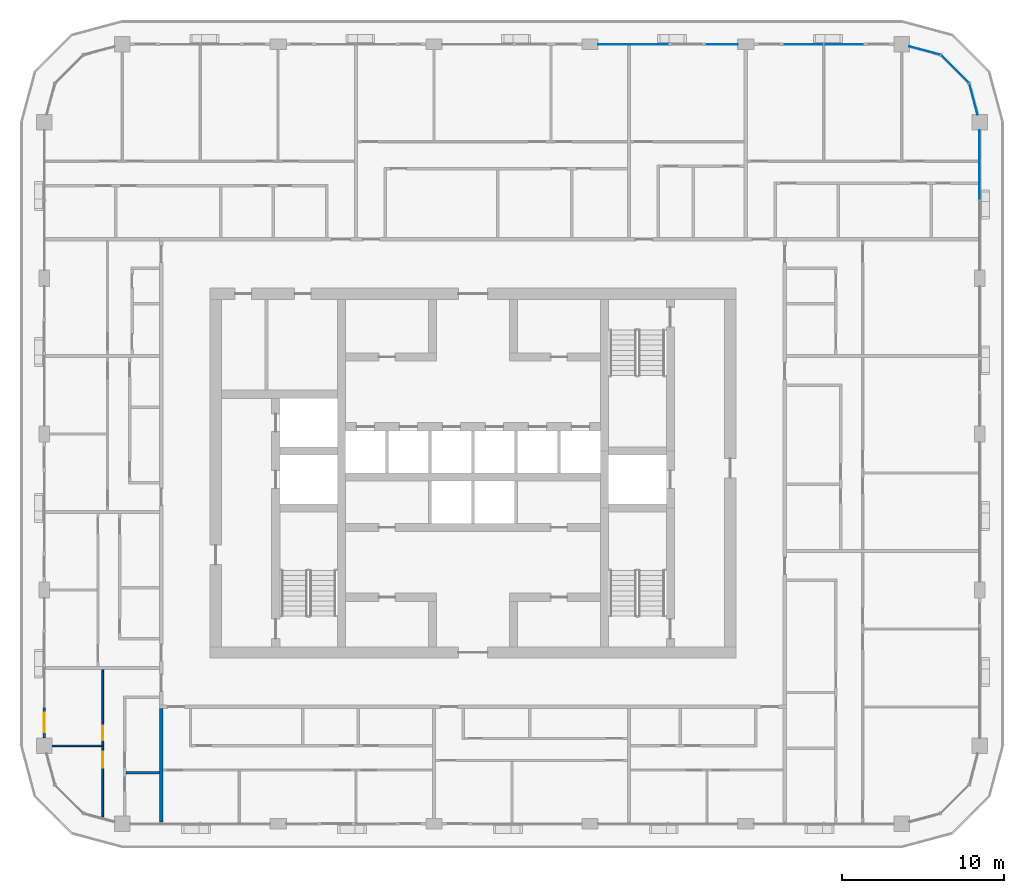
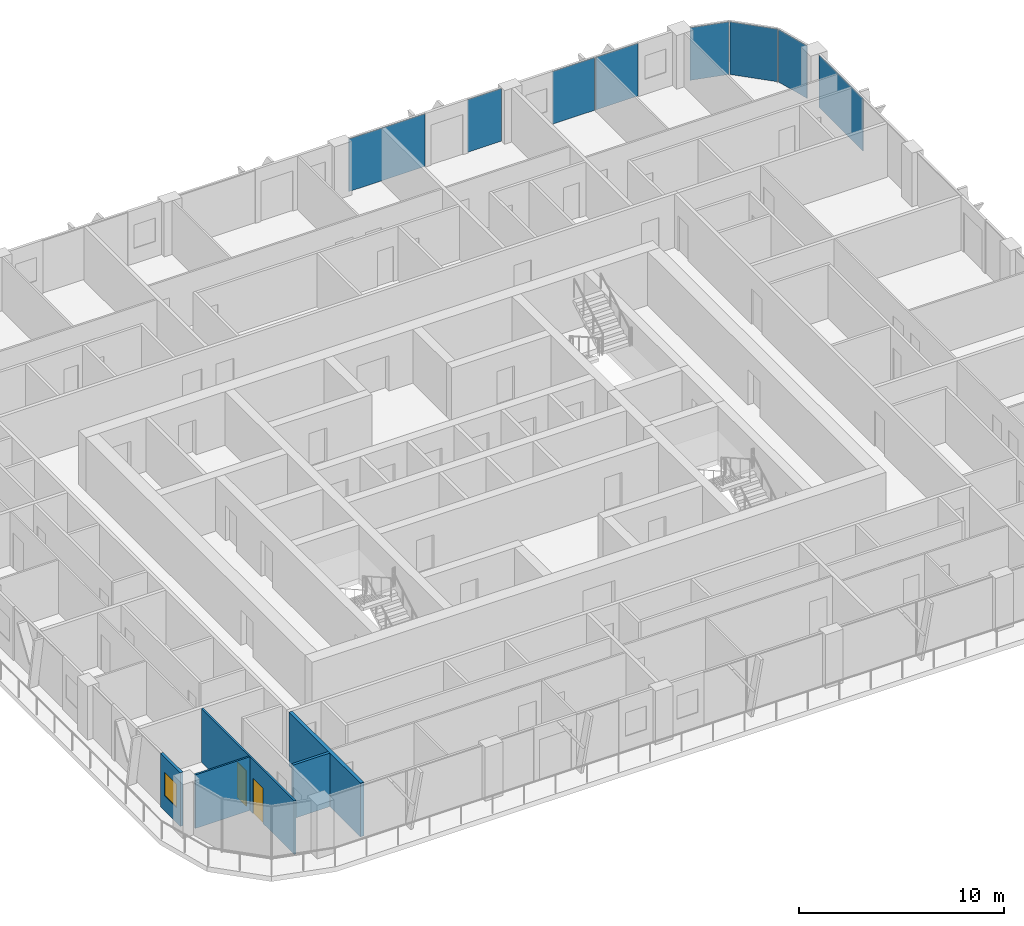
# One storey, part 8 of 22: 8 plates, 5 walls, 2 doors, 1 window, 3 openings, 4 elements without a shape of their own.
"""IFC4 building model written with IfcOpenShell, lengths in metres."""

from ifc_helpers import new_model, si_unit, direction, frame, frame_2d, origin, origin_2d, place, context, subcontext, project, spatial, rectangle, extrude, material, layer, layer_set, type_object, element, fill, aggregate, save


model = new_model("IFC4")

# Units and contexts
model_context = context("Model", 3, precision=1e-05, world=origin(), true_north=direction((0.0, 1.0)))
body_context = subcontext(model_context, "Body", "Model", "MODEL_VIEW")
ifc_project = project(units=[si_unit("LENGTHUNIT", "METRE"), si_unit("AREAUNIT", "SQUARE_METRE"), si_unit("VOLUMEUNIT", "CUBIC_METRE"), si_unit("PLANEANGLEUNIT", "RADIAN"), si_unit("MASSUNIT", "GRAM", prefix="KILO")], contexts=[model_context])

# Site, building, storey
site_placement = place(None, origin())
site = spatial("IfcSite", under=ifc_project, at=site_placement, CompositionType="ELEMENT")
building_placement = place(site_placement, origin())
building = spatial("IfcBuilding", under=site, at=building_placement, Name="Madar Terraces", CompositionType="ELEMENT")
storey_placement = place(building_placement, frame((0.0, 0.0, 208.800048828125)))
storey = spatial("IfcBuildingStorey", under=building, at=storey_placement, Name="L54", CompositionType="ELEMENT", Elevation=208.800048828125)

# Curtain wall, plate
ifc_material_1 = material(Name="Glass, ceramic frit dark grey, with black aluminium frame", Category="aluminium")
ifc_layer_1 = layer(ifc_material_1, 0.199951171875)
ifc_layer_set_1 = layer_set([ifc_layer_1], Name="Facade curtain wall, fritted glass")
curtain_wall_type = type_object("IfcCurtainWallType", Name="Facade curtain wall, fritted glass", PredefinedType="NOTDEFINED", material=ifc_layer_set_1)
curtain_wall_1_placement = place(storey_placement, origin())
curtain_wall_1 = element("IfcCurtainWall", 1, at=curtain_wall_1_placement, inside=storey, type_object=curtain_wall_type, Name="Outer skin curtain wall east bay 4", PredefinedType="NOTDEFINED")
ifc_material_2 = material(Name="Glass, ceramic frit dark grey", Category="glass")
ifc_layer_2 = layer(ifc_material_2, 0.028076171875)
ifc_layer_set_2 = layer_set([ifc_layer_2], Name="Facade glass panel 28")
plate_type = type_object("IfcPlateType", Name="Facade glass panel 28", PredefinedType="CURTAIN_PANEL", material=ifc_layer_set_2)
plate_1_placement = place(storey_placement, frame((62.39990234375, 45.37744140625, 0.0), z_axis=(0.0, 0.0, 1.0), x_axis=(0.0, 1.0, 0.0)))
plate_1 = element("IfcPlate", 2, at=plate_1_placement, type_object=plate_type, Name="Panel 2", PredefinedType="CURTAIN_PANEL", context=body_context, shape_type="SweptSolid", body=[
    extrude(rectangle(XDim=4.294921875, YDim=0.028076171875, at=origin_2d()), origin(), (0.0, 0.0, 1.0), 3.139892578125),
])
aggregate(curtain_wall_1, [plate_1])

# Curtain wall, plates
curtain_wall_2_placement = place(storey_placement, origin())
curtain_wall_2 = element("IfcCurtainWall", 3, at=curtain_wall_2_placement, inside=storey, type_object=curtain_wall_type, Name="Outer skin curtain wall north bay 1", PredefinedType="NOTDEFINED")
plate_2_placement = place(storey_placement, frame((54.014892578125, 52.800048828125, 0.0), z_axis=(0.0, 0.0, 1.0), x_axis=(-1.0, 0.0, 0.0)))
plate_2 = element("IfcPlate", 4, at=plate_2_placement, type_object=plate_type, Name="Panel 1", PredefinedType="CURTAIN_PANEL", context=body_context, shape_type="SweptSolid", body=[
    extrude(rectangle(XDim=2.3701171875, YDim=0.028076171875, at=origin_2d()), origin(), (0.0, 0.0, 1.0), 3.139892578125),
])
plate_3_placement = place(storey_placement, frame((51.5849609375, 52.800048828125, 0.0), z_axis=(0.0, 0.0, 1.0), x_axis=(-1.0, 0.0, 0.0)))
plate_3 = element("IfcPlate", 5, at=plate_3_placement, type_object=plate_type, Name="Panel 2", PredefinedType="CURTAIN_PANEL", context=body_context, shape_type="SweptSolid", body=[
    extrude(rectangle(XDim=2.3701171875, YDim=0.028076171875, at=origin_2d()), origin(), (0.0, 0.0, 1.0), 3.139892578125),
])
aggregate(curtain_wall_2, [plate_2, plate_3])

curtain_wall_3_placement = place(storey_placement, origin())
curtain_wall_3 = element("IfcCurtainWall", 6, at=curtain_wall_3_placement, inside=storey, type_object=curtain_wall_type, Name="Outer skin curtain wall north bay 2", PredefinedType="NOTDEFINED")
plate_4_placement = place(storey_placement, frame((46.550048828125, 52.800048828125, 0.0), z_axis=(0.0, 0.0, 1.0), x_axis=(-1.0, 0.0, 0.0)))
plate_4 = element("IfcPlate", 7, at=plate_4_placement, type_object=plate_type, Name="Panel 1", PredefinedType="CURTAIN_PANEL", context=body_context, shape_type="SweptSolid", body=[
    extrude(rectangle(XDim=1.89990234375, YDim=0.028076171875, at=origin_2d()), origin(), (0.0, 0.0, 1.0), 3.139892578125),
])
plate_5_placement = place(storey_placement, frame((41.050048828125, 52.800048828125, 0.0), z_axis=(0.0, 0.0, 1.0), x_axis=(-1.0, 0.0, 0.0)))
plate_5 = element("IfcPlate", 8, at=plate_5_placement, type_object=plate_type, Name="Panel 2", PredefinedType="CURTAIN_PANEL", context=body_context, shape_type="SweptSolid", body=[
    extrude(rectangle(XDim=4.300048828125, YDim=0.028076171875, at=origin_2d()), origin(), (0.0, 0.0, 1.0), 3.139892578125),
])
aggregate(curtain_wall_3, [plate_4, plate_5])

curtain_wall_4_placement = place(storey_placement, origin())
curtain_wall_4 = element("IfcCurtainWall", 9, at=curtain_wall_4_placement, inside=storey, type_object=curtain_wall_type, Name="Outer skin curtain wall north-east corner", PredefinedType="NOTDEFINED")
plate_6_placement = place(storey_placement, frame((62.018798828125, 49.423095703125, 0.0), z_axis=(0.0, 0.0, 1.0), x_axis=(-0.258819021888, 0.965925832509, 0.0)))
plate_6 = element("IfcPlate", 10, at=plate_6_placement, type_object=plate_type, Name="Panel 1", PredefinedType="CURTAIN_PANEL", context=body_context, shape_type="SweptSolid", body=[
    extrude(rectangle(XDim=1.962890625, YDim=0.028076171875, at=origin_2d()), origin(), (0.0, 0.0, 1.0), 3.139892578125),
])
plate_7_placement = place(storey_placement, frame((60.87841796875, 51.278564453125, 0.0), z_axis=(0.0, 0.0, 1.0), x_axis=(-0.707106781187, 0.707106781187, 0.0)))
plate_7 = element("IfcPlate", 11, at=plate_7_placement, type_object=plate_type, Name="Panel 2", PredefinedType="CURTAIN_PANEL", context=body_context, shape_type="SweptSolid", body=[
    extrude(rectangle(XDim=2.424560546875, YDim=0.028076171875, at=origin_2d()), origin(), (0.0, 0.0, 1.0), 3.139892578125),
])
plate_8_placement = place(storey_placement, frame((59.02294921875, 52.418701171875, 0.0), z_axis=(0.0, 0.0, 1.0), x_axis=(-0.965925832509, 0.258819021888, 0.0)))
plate_8 = element("IfcPlate", 12, at=plate_8_placement, type_object=plate_type, Name="Panel 3", PredefinedType="CURTAIN_PANEL", context=body_context, shape_type="SweptSolid", body=[
    extrude(rectangle(XDim=1.962890625, YDim=0.028076171875, at=origin_2d()), origin(), (0.0, 0.0, 1.0), 3.139892578125),
])
aggregate(curtain_wall_4, [plate_6, plate_7, plate_8])

# Wall, opening, window
ifc_material_3 = material(Name="Aluminium composite panel, black, over insulated backing", Category="aluminium")
ifc_layer_3 = layer(ifc_material_3, 0.14990234375)
ifc_layer_set_3 = layer_set([ifc_layer_3], Name="Facade bay panel 150")
wall_type_1 = type_object("IfcWallType", Name="Facade bay panel 150", PredefinedType="SOLIDWALL", material=ifc_layer_set_3)
wall_1_placement = place(storey_placement, frame((4.800048828125, 12.0, 0.0), z_axis=(0.0, 0.0, 1.0), x_axis=(0.0, -1.0, 0.0)))
wall_1 = element("IfcWall", 13, at=wall_1_placement, inside=storey, type_object=wall_type_1, Name="Facade bay panel", PredefinedType="SOLIDWALL", context=body_context, shape_type="SweptSolid", body=[
    extrude(rectangle(XDim=1.925048828125, YDim=0.14990234375, at=frame_2d((0.96240234375, 0.0))), origin(), (0.0, 0.0, 1.0), 3.199951171875),
])
opening_1_placement = place(wall_1_placement, frame((0.362548828125, 0.0, 0.89990234375)))
opening_1 = element("IfcOpeningElement", 14, at=opening_1_placement, cuts=wall_1, Name="Opening W1", PredefinedType="OPENING", context=body_context, shape_type="SweptSolid", body=[
    extrude(rectangle(XDim=1.199951171875, YDim=1.39990234375, at=frame_2d((0.60009765625, 0.699951171875))), frame((0.0, 0.0849609375, 0.0), z_axis=(0.0, -1.0, 0.0), x_axis=(1.0, 0.0, 0.0)), (0.0, 0.0, 1.0), 0.169921875),
])
ifc_material_4 = material(Name="Glass, clear, with black aluminium frame", Category="aluminium")
window_type = type_object("IfcWindowType", Name="Vent window 1200 x 1400", PartitioningType="SINGLE_PANEL", PredefinedType="WINDOW", material=ifc_material_4)
window_placement = place(opening_1_placement, origin())
window = element("IfcWindow", 15, at=window_placement, inside=storey, type_object=window_type, Name="Operable vent window", OverallHeight=1.39990234375, OverallWidth=1.199951171875, PartitioningType="SINGLE_PANEL", PredefinedType="WINDOW", context=body_context, shape_type="SweptSolid", body=[
    extrude(rectangle(XDim=1.199951171875, YDim=1.39990234375, at=frame_2d((0.60009765625, 0.699951171875))), frame((0.0, 0.030029296875, 0.0), z_axis=(0.0, -1.0, 0.0), x_axis=(1.0, 0.0, 0.0)), (0.0, 0.0, 1.0), 0.06005859375),
])
fill(opening_1, window)

# Wall
ifc_material_5 = material(Name="Gypsum board on steel studs", Category="steel")
ifc_layer_4 = layer(ifc_material_5, 0.10009765625)
ifc_layer_set_4 = layer_set([ifc_layer_4], Name="Flat partition 100")
wall_type_2 = type_object("IfcWallType", Name="Flat partition 100", PredefinedType="PARTITIONING", material=ifc_layer_set_4)
wall_2_placement = place(storey_placement, frame((8.35009765625, 9.60009765625, 0.0), z_axis=(0.0, 0.0, 1.0), x_axis=(-1.0, 0.0, 0.0)))
element("IfcWall", 16, at=wall_2_placement, inside=storey, type_object=wall_type_2, Name="Flat partition 100", PredefinedType="PARTITIONING", context=body_context, shape_type="SweptSolid", body=[
    extrude(rectangle(XDim=3.0751953125, YDim=0.10009765625, at=frame_2d((1.53759765625, 0.0))), origin(), (0.0, 0.0, 1.0), 3.199951171875),
])

# Wall, openings, doors
wall_3_placement = place(storey_placement, frame((8.39990234375, 5.221435546875, 0.0), z_axis=(0.0, 0.0, 1.0), x_axis=(0.0, 1.0, 0.0)))
wall_3 = element("IfcWall", 17, at=wall_3_placement, inside=storey, type_object=wall_type_2, Name="Flat partition 100", PredefinedType="PARTITIONING", context=body_context, shape_type="SweptSolid", body=[
    extrude(rectangle(XDim=9.07861328125, YDim=0.10009765625, at=frame_2d((4.539306640625, 0.0))), origin(), (0.0, 0.0, 1.0), 3.199951171875),
])
opening_2_placement = place(wall_3_placement, frame((4.728515625, 0.0, 0.0)))
opening_2 = element("IfcOpeningElement", 18, at=opening_2_placement, cuts=wall_3, Name="Opening D2", PredefinedType="OPENING", context=body_context, shape_type="SweptSolid", body=[
    extrude(rectangle(XDim=0.89990234375, YDim=2.10009765625, at=frame_2d((0.449951171875, 1.050048828125))), frame((0.0, 0.06005859375, 0.0), z_axis=(0.0, -1.0, 0.0), x_axis=(1.0, 0.0, 0.0)), (0.0, 0.0, 1.0), 0.1201171875),
])
opening_3_placement = place(wall_3_placement, frame((3.028564453125, 0.0, 0.0)))
opening_3 = element("IfcOpeningElement", 19, at=opening_3_placement, cuts=wall_3, Name="Opening D3", PredefinedType="OPENING", context=body_context, shape_type="SweptSolid", body=[
    extrude(rectangle(XDim=1.0, YDim=2.10009765625, at=frame_2d((0.5, 1.050048828125))), frame((0.0, 0.06005859375, 0.0), z_axis=(0.0, -1.0, 0.0), x_axis=(1.0, 0.0, 0.0)), (0.0, 0.0, 1.0), 0.1201171875),
])
ifc_material_6 = material(Name="Timber door leaf", Category="wood")
door_type_1 = type_object("IfcDoorType", Name="Flat living room door 1000", OperationType="NOTDEFINED", PredefinedType="DOOR", material=ifc_material_6)
door_1_placement = place(opening_3_placement, origin())
door_1 = element("IfcDoor", 20, at=door_1_placement, inside=storey, type_object=door_type_1, Name="Flat living room door 1000", OperationType="SINGLE_SWING_RIGHT", OverallHeight=2.10009765625, OverallWidth=1.0, PredefinedType="DOOR", context=body_context, shape_type="SweptSolid", body=[
    extrude(rectangle(XDim=1.0, YDim=2.10009765625, at=frame_2d((0.5, 1.050048828125))), frame((0.0, 0.02490234375, 0.0), z_axis=(0.0, -1.0, 0.0), x_axis=(1.0, 0.0, 0.0)), (0.0, 0.0, 1.0), 0.050048828125),
])
fill(opening_3, door_1)
ifc_material_7 = material(Name="Timber door leaf", Category="wood")
door_type_2 = type_object("IfcDoorType", Name="Flat room door 900", OperationType="NOTDEFINED", PredefinedType="DOOR", material=ifc_material_7)
door_2_placement = place(opening_2_placement, origin())
door_2 = element("IfcDoor", 21, at=door_2_placement, inside=storey, type_object=door_type_2, Name="Flat room door 900", OperationType="SINGLE_SWING_LEFT", OverallHeight=2.10009765625, OverallWidth=0.89990234375, PredefinedType="DOOR", context=body_context, shape_type="SweptSolid", body=[
    extrude(rectangle(XDim=0.89990234375, YDim=2.10009765625, at=frame_2d((0.449951171875, 1.050048828125))), frame((0.0, 0.02490234375, 0.0), z_axis=(0.0, -1.0, 0.0), x_axis=(1.0, 0.0, 0.0)), (0.0, 0.0, 1.0), 0.050048828125),
])
fill(opening_2, door_2)

# Walls
ifc_material_8 = material(Name="Lightweight blockwork", Category="masonry")
ifc_layer_5 = layer(ifc_material_8, 0.199951171875)
ifc_layer_set_5 = layer_set([ifc_layer_5], Name="Flat party and entrance wall 200")
wall_type_3 = type_object("IfcWallType", Name="Flat party and entrance wall 200", PredefinedType="PARTITIONING", material=ifc_layer_set_5)
wall_4_placement = place(storey_placement, frame((12.0, 4.89990234375, 0.0), z_axis=(0.0, 0.0, 1.0), x_axis=(0.0, 1.0, 0.0)))
element("IfcWall", 22, at=wall_4_placement, inside=storey, type_object=wall_type_3, Name="Flat party and entrance wall 200", PredefinedType="PARTITIONING", context=body_context, shape_type="SweptSolid", body=[
    extrude(rectangle(XDim=7.0, YDim=0.199951171875, at=frame_2d((3.5, 0.0))), origin(), (0.0, 0.0, 1.0), 3.199951171875),
])
ifc_material_9 = material(Name="Lightweight blockwork", Category="masonry")
ifc_layer_6 = layer(ifc_material_9, 0.14990234375)
ifc_layer_set_6 = layer_set([ifc_layer_6], Name="Flat wet-room partition 150")
wall_type_4 = type_object("IfcWallType", Name="Flat wet-room partition 150", PredefinedType="PARTITIONING", material=ifc_layer_set_6)
wall_5_placement = place(storey_placement, frame((11.89990234375, 7.949951171875, 0.0), z_axis=(0.0, 0.0, 1.0), x_axis=(-1.0, 0.0, 0.0)))
element("IfcWall", 23, at=wall_5_placement, inside=storey, type_object=wall_type_4, Name="Flat wet-room partition 150", PredefinedType="PARTITIONING", context=body_context, shape_type="SweptSolid", body=[
    extrude(rectangle(XDim=2.074951171875, YDim=0.14990234375, at=frame_2d((1.03759765625, 0.0))), origin(), (0.0, 0.0, 1.0), 3.199951171875),
])

save(model, "model.ifc")
